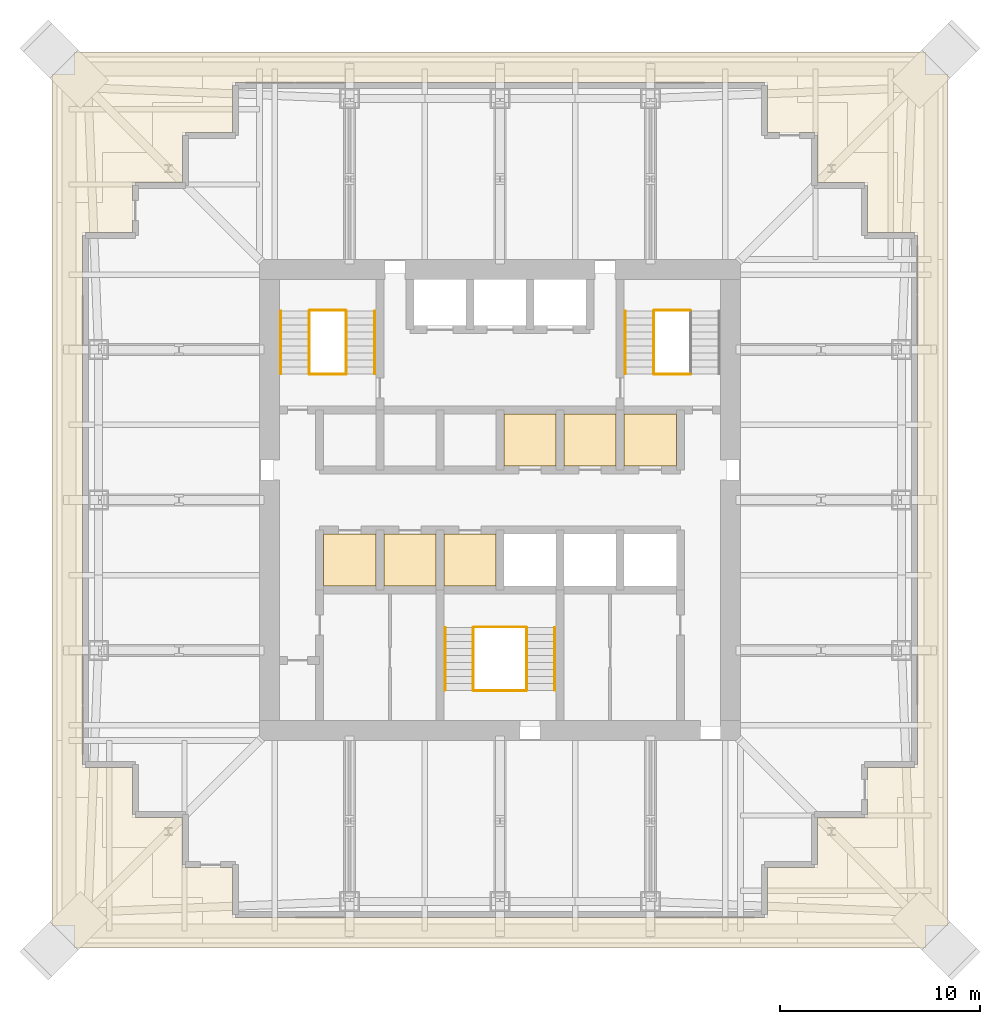
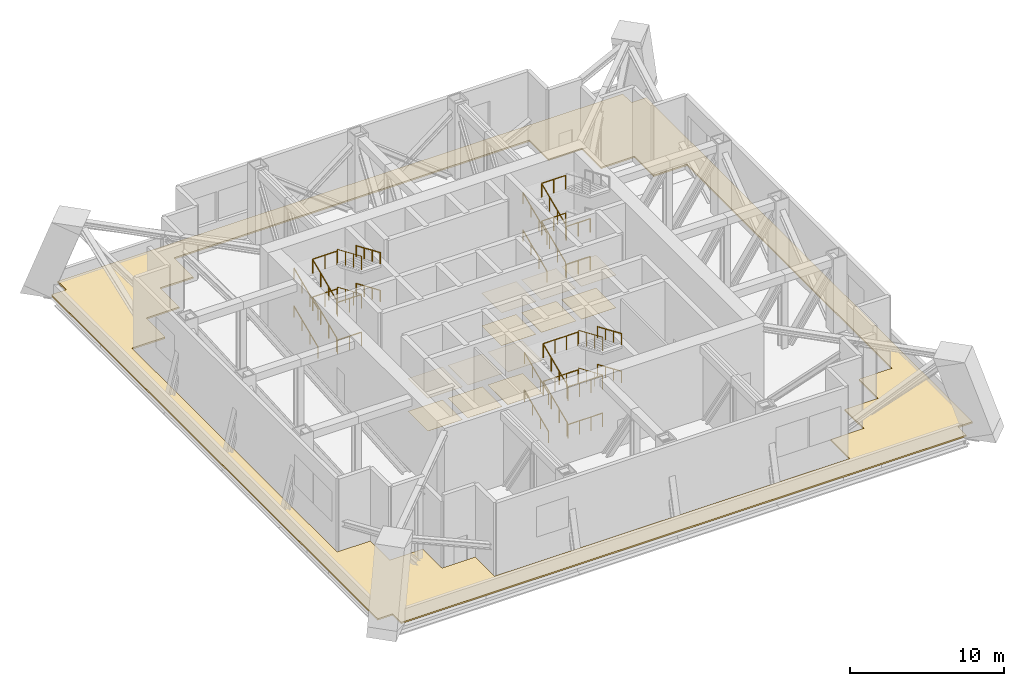
# One storey, part 8 of 9: 32 railings, 13 coverings.
"""IFC4 building model written with IfcOpenShell, lengths in metres."""

from ifc_helpers import new_model, si_unit, direction, frame, origin, origin_2d, place, context, subcontext, project, spatial, polyline, circle, outline, extrude, material, layer, layer_set, type_object, element, save


model = new_model("IFC4")

# Units and contexts
model_context = context("Model", 3, precision=1e-05, world=origin(), true_north=direction((0.0, 1.0)))
body_context = subcontext(model_context, "Body", "Model", "MODEL_VIEW")
ifc_project = project(units=[si_unit("LENGTHUNIT", "METRE"), si_unit("AREAUNIT", "SQUARE_METRE"), si_unit("VOLUMEUNIT", "CUBIC_METRE"), si_unit("PLANEANGLEUNIT", "RADIAN"), si_unit("MASSUNIT", "GRAM", prefix="KILO")], contexts=[model_context])

# Site, building, storey
site_placement = place(None, origin())
site = spatial("IfcSite", under=ifc_project, at=site_placement, CompositionType="ELEMENT")
building_placement = place(site_placement, origin())
building = spatial("IfcBuilding", under=site, at=building_placement, Name="Tarangal Relay Tower", CompositionType="ELEMENT")
storey_placement = place(building_placement, frame((0.0, 0.0, 253.89990234375)))
storey = spatial("IfcBuildingStorey", under=building, at=storey_placement, Name="L55", CompositionType="ELEMENT", Elevation=253.89990234375)

# Coverings
ifc_material_1 = material(Name="Anti-static vinyl flooring", Category="plastic")
ifc_layer_1 = layer(ifc_material_1, 0.010009765625)
ifc_layer_set_1 = layer_set([ifc_layer_1], Name="Anti-static vinyl floor")
covering_type_1 = type_object("IfcCoveringType", Name="Anti-static vinyl floor", PredefinedType="FLOORING", material=ifc_layer_set_1)
covering_1_placement = place(storey_placement, origin())
element("IfcCovering", 1, at=covering_1_placement, inside=storey, type_object=covering_type_1, Name="Floor finish FL1 L55-T1", PredefinedType="FLOORING", context=body_context, shape_type="SweptSolid", body=[
    extrude(outline(polyline([(0.199951171875, 1.699951171875), (2.800048828125, 1.699951171875), (2.800048828125, 4.300048828125), (0.199951171875, 4.300048828125), (0.199951171875, 1.699951171875)])), origin(), (0.0, 0.0, 1.0), 0.010009765625),
])
covering_2_placement = place(storey_placement, origin())
element("IfcCovering", 2, at=covering_2_placement, inside=storey, type_object=covering_type_1, Name="Floor finish FL1 L55-T2", PredefinedType="FLOORING", context=body_context, shape_type="SweptSolid", body=[
    extrude(outline(polyline([(3.199951171875, 1.699951171875), (5.800048828125, 1.699951171875), (5.800048828125, 4.300048828125), (3.199951171875, 4.300048828125), (3.199951171875, 1.699951171875)])), origin(), (0.0, 0.0, 1.0), 0.010009765625),
])
covering_3_placement = place(storey_placement, origin())
element("IfcCovering", 3, at=covering_3_placement, inside=storey, type_object=covering_type_1, Name="Floor finish FL1 L55-T3", PredefinedType="FLOORING", context=body_context, shape_type="SweptSolid", body=[
    extrude(outline(polyline([(6.199951171875, 1.699951171875), (8.800048828125, 1.699951171875), (8.800048828125, 4.300048828125), (6.199951171875, 4.300048828125), (6.199951171875, 1.699951171875)])), origin(), (0.0, 0.0, 1.0), 0.010009765625),
])
covering_4_placement = place(storey_placement, origin())
element("IfcCovering", 4, at=covering_4_placement, inside=storey, type_object=covering_type_1, Name="Floor finish FL1 L55-S1", PredefinedType="FLOORING", context=body_context, shape_type="SweptSolid", body=[
    extrude(outline(polyline([(-8.800048828125, -4.300048828125), (-6.199951171875, -4.300048828125), (-6.199951171875, -1.699951171875), (-8.800048828125, -1.699951171875), (-8.800048828125, -4.300048828125)])), origin(), (0.0, 0.0, 1.0), 0.010009765625),
])
covering_5_placement = place(storey_placement, origin())
element("IfcCovering", 5, at=covering_5_placement, inside=storey, type_object=covering_type_1, Name="Floor finish FL1 L55-S2", PredefinedType="FLOORING", context=body_context, shape_type="SweptSolid", body=[
    extrude(outline(polyline([(-5.800048828125, -4.300048828125), (-3.199951171875, -4.300048828125), (-3.199951171875, -1.699951171875), (-5.800048828125, -1.699951171875), (-5.800048828125, -4.300048828125)])), origin(), (0.0, 0.0, 1.0), 0.010009765625),
])
covering_6_placement = place(storey_placement, origin())
element("IfcCovering", 6, at=covering_6_placement, inside=storey, type_object=covering_type_1, Name="Floor finish FL1 L55-S3", PredefinedType="FLOORING", context=body_context, shape_type="SweptSolid", body=[
    extrude(outline(polyline([(-2.800048828125, -4.300048828125), (-0.199951171875, -4.300048828125), (-0.199951171875, -1.699951171875), (-2.800048828125, -1.699951171875), (-2.800048828125, -4.300048828125)])), origin(), (0.0, 0.0, 1.0), 0.010009765625),
])
ifc_material_2 = material(Name="Bituminous membrane on rigid insulation", Category="plastic")
ifc_layer_2 = layer(ifc_material_2, 0.1201171875)
ifc_layer_set_2 = layer_set([ifc_layer_2], Name="Roof membrane and insulation")
covering_type_2 = type_object("IfcCoveringType", Name="Roof membrane and insulation", PredefinedType="ROOFING", material=ifc_layer_set_2)
covering_7_placement = place(storey_placement, origin())
element("IfcCovering", 7, at=covering_7_placement, inside=storey, type_object=covering_type_2, Name="Ledge roofing RF2 L55", PredefinedType="ROOFING", context=body_context, shape_type="SweptSolid", body=[
    extrude(outline(polyline([(22.35009765625, -21.239990234375), (22.35009765625, 21.239990234375), (21.239990234375, 21.239990234375), (21.239990234375, 22.35009765625), (-21.239990234375, 22.35009765625), (-21.239990234375, 21.239990234375), (-22.35009765625, 21.239990234375), (-22.35009765625, -21.239990234375), (-21.239990234375, -21.239990234375), (-21.239990234375, -22.35009765625), (21.239990234375, -22.35009765625), (21.239990234375, -21.239990234375), (22.35009765625, -21.239990234375)]), holes=[polyline([(-20.85009765625, 13.35009765625), (-20.85009765625, -13.35009765625), (-18.35009765625, -13.35009765625), (-18.35009765625, -15.85009765625), (-15.85009765625, -15.85009765625), (-15.85009765625, -18.35009765625), (-13.35009765625, -18.35009765625), (-13.35009765625, -20.85009765625), (13.35009765625, -20.85009765625), (13.35009765625, -18.35009765625), (15.85009765625, -18.35009765625), (15.85009765625, -15.85009765625), (18.35009765625, -15.85009765625), (18.35009765625, -13.35009765625), (20.85009765625, -13.35009765625), (20.85009765625, 13.35009765625), (18.35009765625, 13.35009765625), (18.35009765625, 15.85009765625), (15.85009765625, 15.85009765625), (15.85009765625, 18.35009765625), (13.35009765625, 18.35009765625), (13.35009765625, 20.85009765625), (-13.35009765625, 20.85009765625), (-13.35009765625, 18.35009765625), (-15.85009765625, 18.35009765625), (-15.85009765625, 15.85009765625), (-18.35009765625, 15.85009765625), (-18.35009765625, 13.35009765625), (-20.85009765625, 13.35009765625)])]), origin(), (0.0, 0.0, 1.0), 0.1201171875),
])

# Railings
ifc_material_3 = material(Name="Steel guard, black finish", Category="steel")
railing_type_1 = type_object("IfcRailingType", Name="Stair guard 1100", PredefinedType="GUARDRAIL", material=ifc_material_3)
railing_1_placement = place(storey_placement, frame((-9.530029296875, 6.300048828125, 0.150146484375)))
element("IfcRailing", 8, at=railing_1_placement, inside=storey, type_object=railing_type_1, Name="Stair ST-A guard GR1 L55 flight 1", PredefinedType="GUARDRAIL", context=body_context, shape_type="SweptSolid", body=[
    extrude(circle(Radius=0.02392578125, at=origin_2d()), frame((0.0, 0.0, 1.076171875), z_axis=(0.0, 0.918332162045, 0.395810611471), x_axis=(-1.0, 0.0, 0.0)), (0.0, 0.0, 1.0), 3.410400390625),
    extrude(circle(Radius=0.02099609375, at=origin_2d()), origin(), (0.0, 0.0, 1.0), 1.052001953125),
    extrude(circle(Radius=0.02099609375, at=origin_2d()), frame((0.0, 1.0439453125, 0.449951171875)), (0.0, 0.0, 1.0), 1.052001953125),
    extrude(circle(Radius=0.02099609375, at=origin_2d()), frame((0.0, 2.087890625, 0.89990234375)), (0.0, 0.0, 1.0), 1.052001953125),
    extrude(circle(Radius=0.02099609375, at=origin_2d()), frame((0.0, 3.1318359375, 1.349853515625)), (0.0, 0.0, 1.0), 1.052001953125),
])
railing_2_placement = place(storey_placement, frame((-7.669921875, 9.431884765625, 1.650146484375)))
element("IfcRailing", 9, at=railing_2_placement, inside=storey, type_object=railing_type_1, Name="Stair ST-A guard GR1 L55 flight 2", PredefinedType="GUARDRAIL", context=body_context, shape_type="SweptSolid", body=[
    extrude(circle(Radius=0.02392578125, at=origin_2d()), frame((0.0, 0.0, 1.076171875), z_axis=(0.0, -0.918332162045, 0.395810611471), x_axis=(1.0, 0.0, 0.0)), (0.0, 0.0, 1.0), 3.410400390625),
    extrude(circle(Radius=0.02099609375, at=origin_2d()), origin(), (0.0, 0.0, 1.0), 1.052001953125),
    extrude(circle(Radius=0.02099609375, at=origin_2d()), frame((0.0, -1.0439453125, 0.449951171875)), (0.0, 0.0, 1.0), 1.052001953125),
    extrude(circle(Radius=0.02099609375, at=origin_2d()), frame((0.0, -2.087890625, 0.89990234375)), (0.0, 0.0, 1.0), 1.052001953125),
    extrude(circle(Radius=0.02099609375, at=origin_2d()), frame((0.0, -3.1318359375, 1.349853515625)), (0.0, 0.0, 1.0), 1.052001953125),
])
railing_3_placement = place(storey_placement, frame((-9.530029296875, 6.300048828125, 3.150146484375)))
element("IfcRailing", 10, at=railing_3_placement, inside=storey, type_object=railing_type_1, Name="Stair ST-A guard GR1 L55 flight 3", PredefinedType="GUARDRAIL", context=body_context, shape_type="SweptSolid", body=[
    extrude(circle(Radius=0.02392578125, at=origin_2d()), frame((0.0, 0.0, 1.076171875), z_axis=(0.0, 0.918332162045, 0.395810611471), x_axis=(-1.0, 0.0, 0.0)), (0.0, 0.0, 1.0), 3.410400390625),
    extrude(circle(Radius=0.02099609375, at=origin_2d()), origin(), (0.0, 0.0, 1.0), 1.052001953125),
    extrude(circle(Radius=0.02099609375, at=origin_2d()), frame((0.0, 1.0439453125, 0.449951171875)), (0.0, 0.0, 1.0), 1.052001953125),
    extrude(circle(Radius=0.02099609375, at=origin_2d()), frame((0.0, 2.087890625, 0.89990234375)), (0.0, 0.0, 1.0), 1.052001953125),
    extrude(circle(Radius=0.02099609375, at=origin_2d()), frame((0.0, 3.1318359375, 1.349853515625)), (0.0, 0.0, 1.0), 1.052001953125),
])
railing_4_placement = place(storey_placement, frame((-7.669921875, 9.431884765625, 4.650146484375)))
element("IfcRailing", 11, at=railing_4_placement, inside=storey, type_object=railing_type_1, Name="Stair ST-A guard GR1 L55 flight 4", PredefinedType="GUARDRAIL", context=body_context, shape_type="SweptSolid", body=[
    extrude(circle(Radius=0.02392578125, at=origin_2d()), frame((0.0, 0.0, 1.076171875), z_axis=(0.0, -0.918332162045, 0.395810611471), x_axis=(1.0, 0.0, 0.0)), (0.0, 0.0, 1.0), 3.410400390625),
    extrude(circle(Radius=0.02099609375, at=origin_2d()), origin(), (0.0, 0.0, 1.0), 1.052001953125),
    extrude(circle(Radius=0.02099609375, at=origin_2d()), frame((0.0, -1.0439453125, 0.449951171875)), (0.0, 0.0, 1.0), 1.052001953125),
    extrude(circle(Radius=0.02099609375, at=origin_2d()), frame((0.0, -2.087890625, 0.89990234375)), (0.0, 0.0, 1.0), 1.052001953125),
    extrude(circle(Radius=0.02099609375, at=origin_2d()), frame((0.0, -3.1318359375, 1.349853515625)), (0.0, 0.0, 1.0), 1.052001953125),
])
for number, where, name in (
    (12, (-9.5, 6.27001953125, 0.0), "Stair ST-A landing guard GR1 L55"),
    (13, (-9.5, 9.4619140625, 1.5), "Stair ST-A landing guard GR1 L55"),
    (14, (-9.5, 6.27001953125, 3.0), "Stair ST-A landing guard GR1 L55"),
    (15, (-9.5, 9.4619140625, 4.5), "Stair ST-A landing guard GR1 L55"),
):
    element("IfcRailing", number, at=place(storey_placement, frame(where)), inside=storey, type_object=railing_type_1, Name=name, PredefinedType="GUARDRAIL", context=body_context, shape_type="SweptSolid", body=[
        extrude(circle(Radius=0.02392578125, at=origin_2d()), frame((0.0, 0.0, 1.076171875), z_axis=(1.0, 0.0, 0.0), x_axis=(0.0, 1.0, 0.0)), (0.0, 0.0, 1.0), 1.800048828125),
        extrude(circle(Radius=0.02099609375, at=origin_2d()), origin(), (0.0, 0.0, 1.0), 1.052001953125),
        extrude(circle(Radius=0.02099609375, at=origin_2d()), frame((0.89990234375, 0.0, 0.0)), (0.0, 0.0, 1.0), 1.052001953125),
        extrude(circle(Radius=0.02099609375, at=origin_2d()), frame((1.800048828125, 0.0, 0.0)), (0.0, 0.0, 1.0), 1.052001953125),
    ])
for number, where, name in (
    (16, (7.669921875, 6.300048828125, 0.150146484375), "Stair ST-B guard GR1 L55 flight 1"),
    (17, (7.669921875, 6.300048828125, 3.150146484375), "Stair ST-B guard GR1 L55 flight 3"),
):
    element("IfcRailing", number, at=place(storey_placement, frame(where)), inside=storey, type_object=railing_type_1, Name=name, PredefinedType="GUARDRAIL", context=body_context, shape_type="SweptSolid", body=[
        extrude(circle(Radius=0.02392578125, at=origin_2d()), frame((0.0, 0.0, 1.076171875), z_axis=(0.0, 0.918332162045, 0.395810611471), x_axis=(-1.0, 0.0, 0.0)), (0.0, 0.0, 1.0), 3.410400390625),
        extrude(circle(Radius=0.02099609375, at=origin_2d()), origin(), (0.0, 0.0, 1.0), 1.052001953125),
        extrude(circle(Radius=0.02099609375, at=origin_2d()), frame((0.0, 1.0439453125, 0.449951171875)), (0.0, 0.0, 1.0), 1.052001953125),
        extrude(circle(Radius=0.02099609375, at=origin_2d()), frame((0.0, 2.087890625, 0.89990234375)), (0.0, 0.0, 1.0), 1.052001953125),
        extrude(circle(Radius=0.02099609375, at=origin_2d()), frame((0.0, 3.1318359375, 1.349853515625)), (0.0, 0.0, 1.0), 1.052001953125),
    ])
for number, where, name in (
    (18, (7.699951171875, 6.27001953125, 0.0), "Stair ST-B landing guard GR1 L55"),
    (19, (7.699951171875, 9.4619140625, 1.5), "Stair ST-B landing guard GR1 L55"),
    (20, (7.699951171875, 6.27001953125, 3.0), "Stair ST-B landing guard GR1 L55"),
    (21, (7.699951171875, 9.4619140625, 4.5), "Stair ST-B landing guard GR1 L55"),
):
    element("IfcRailing", number, at=place(storey_placement, frame(where)), inside=storey, type_object=railing_type_1, Name=name, PredefinedType="GUARDRAIL", context=body_context, shape_type="SweptSolid", body=[
        extrude(circle(Radius=0.02392578125, at=origin_2d()), frame((0.0, 0.0, 1.076171875), z_axis=(1.0, 0.0, 0.0), x_axis=(0.0, 1.0, 0.0)), (0.0, 0.0, 1.0), 1.800048828125),
        extrude(circle(Radius=0.02099609375, at=origin_2d()), origin(), (0.0, 0.0, 1.0), 1.052001953125),
        extrude(circle(Radius=0.02099609375, at=origin_2d()), frame((0.89990234375, 0.0, 0.0)), (0.0, 0.0, 1.0), 1.052001953125),
        extrude(circle(Radius=0.02099609375, at=origin_2d()), frame((1.800048828125, 0.0, 0.0)), (0.0, 0.0, 1.0), 1.052001953125),
    ])
railing_5_placement = place(storey_placement, frame((-1.330078125, -9.5, 0.150146484375)))
element("IfcRailing", 22, at=railing_5_placement, inside=storey, type_object=railing_type_1, Name="Stair ST-C guard GR1 L55 flight 1", PredefinedType="GUARDRAIL", context=body_context, shape_type="SweptSolid", body=[
    extrude(circle(Radius=0.02392578125, at=origin_2d()), frame((0.0, 0.0, 1.076171875), z_axis=(0.0, 0.918343376364, 0.395784591778), x_axis=(-1.0, 0.0, 0.0)), (0.0, 0.0, 1.0), 3.41064453125),
    extrude(circle(Radius=0.02099609375, at=origin_2d()), origin(), (0.0, 0.0, 1.0), 1.052001953125),
    extrude(circle(Radius=0.02099609375, at=origin_2d()), frame((0.0, 1.0439453125, 0.449951171875)), (0.0, 0.0, 1.0), 1.052001953125),
    extrude(circle(Radius=0.02099609375, at=origin_2d()), frame((0.0, 2.088134765625, 0.89990234375)), (0.0, 0.0, 1.0), 1.052001953125),
    extrude(circle(Radius=0.02099609375, at=origin_2d()), frame((0.0, 3.132080078125, 1.349853515625)), (0.0, 0.0, 1.0), 1.052001953125),
])
railing_6_placement = place(storey_placement, frame((1.330078125, -6.367919921875, 1.650146484375)))
element("IfcRailing", 23, at=railing_6_placement, inside=storey, type_object=railing_type_1, Name="Stair ST-C guard GR1 L55 flight 2", PredefinedType="GUARDRAIL", context=body_context, shape_type="SweptSolid", body=[
    extrude(circle(Radius=0.02392578125, at=origin_2d()), frame((0.0, 0.0, 1.076171875), z_axis=(0.0, -0.918343376364, 0.395784591778), x_axis=(1.0, 0.0, 0.0)), (0.0, 0.0, 1.0), 3.41064453125),
    extrude(circle(Radius=0.02099609375, at=origin_2d()), origin(), (0.0, 0.0, 1.0), 1.052001953125),
    extrude(circle(Radius=0.02099609375, at=origin_2d()), frame((0.0, -1.0439453125, 0.449951171875)), (0.0, 0.0, 1.0), 1.052001953125),
    extrude(circle(Radius=0.02099609375, at=origin_2d()), frame((0.0, -2.088134765625, 0.89990234375)), (0.0, 0.0, 1.0), 1.052001953125),
    extrude(circle(Radius=0.02099609375, at=origin_2d()), frame((0.0, -3.132080078125, 1.349853515625)), (0.0, 0.0, 1.0), 1.052001953125),
])
railing_7_placement = place(storey_placement, frame((-1.330078125, -9.5, 3.150146484375)))
element("IfcRailing", 24, at=railing_7_placement, inside=storey, type_object=railing_type_1, Name="Stair ST-C guard GR1 L55 flight 3", PredefinedType="GUARDRAIL", context=body_context, shape_type="SweptSolid", body=[
    extrude(circle(Radius=0.02392578125, at=origin_2d()), frame((0.0, 0.0, 1.076171875), z_axis=(0.0, 0.918343376364, 0.395784591778), x_axis=(-1.0, 0.0, 0.0)), (0.0, 0.0, 1.0), 3.41064453125),
    extrude(circle(Radius=0.02099609375, at=origin_2d()), origin(), (0.0, 0.0, 1.0), 1.052001953125),
    extrude(circle(Radius=0.02099609375, at=origin_2d()), frame((0.0, 1.0439453125, 0.449951171875)), (0.0, 0.0, 1.0), 1.052001953125),
    extrude(circle(Radius=0.02099609375, at=origin_2d()), frame((0.0, 2.088134765625, 0.89990234375)), (0.0, 0.0, 1.0), 1.052001953125),
    extrude(circle(Radius=0.02099609375, at=origin_2d()), frame((0.0, 3.132080078125, 1.349853515625)), (0.0, 0.0, 1.0), 1.052001953125),
])
railing_8_placement = place(storey_placement, frame((1.330078125, -6.367919921875, 4.650146484375)))
element("IfcRailing", 25, at=railing_8_placement, inside=storey, type_object=railing_type_1, Name="Stair ST-C guard GR1 L55 flight 4", PredefinedType="GUARDRAIL", context=body_context, shape_type="SweptSolid", body=[
    extrude(circle(Radius=0.02392578125, at=origin_2d()), frame((0.0, 0.0, 1.076171875), z_axis=(0.0, -0.918343376364, 0.395784591778), x_axis=(1.0, 0.0, 0.0)), (0.0, 0.0, 1.0), 3.41064453125),
    extrude(circle(Radius=0.02099609375, at=origin_2d()), origin(), (0.0, 0.0, 1.0), 1.052001953125),
    extrude(circle(Radius=0.02099609375, at=origin_2d()), frame((0.0, -1.0439453125, 0.449951171875)), (0.0, 0.0, 1.0), 1.052001953125),
    extrude(circle(Radius=0.02099609375, at=origin_2d()), frame((0.0, -2.088134765625, 0.89990234375)), (0.0, 0.0, 1.0), 1.052001953125),
    extrude(circle(Radius=0.02099609375, at=origin_2d()), frame((0.0, -3.132080078125, 1.349853515625)), (0.0, 0.0, 1.0), 1.052001953125),
])
for number, where, name in (
    (26, (-1.300048828125, -9.530029296875, 0.0), "Stair ST-C landing guard GR1 L55"),
    (27, (-1.300048828125, -6.337890625, 1.5), "Stair ST-C landing guard GR1 L55"),
    (28, (-1.300048828125, -9.530029296875, 3.0), "Stair ST-C landing guard GR1 L55"),
    (29, (-1.300048828125, -6.337890625, 4.5), "Stair ST-C landing guard GR1 L55"),
):
    element("IfcRailing", number, at=place(storey_placement, frame(where)), inside=storey, type_object=railing_type_1, Name=name, PredefinedType="GUARDRAIL", context=body_context, shape_type="SweptSolid", body=[
        extrude(circle(Radius=0.02392578125, at=origin_2d()), frame((0.0, 0.0, 1.076171875), z_axis=(1.0, 0.0, 0.0), x_axis=(0.0, 1.0, 0.0)), (0.0, 0.0, 1.0), 2.60009765625),
        extrude(circle(Radius=0.02099609375, at=origin_2d()), origin(), (0.0, 0.0, 1.0), 1.052001953125),
        extrude(circle(Radius=0.02099609375, at=origin_2d()), frame((0.86669921875, 0.0, 0.0)), (0.0, 0.0, 1.0), 1.052001953125),
        extrude(circle(Radius=0.02099609375, at=origin_2d()), frame((1.7333984375, 0.0, 0.0)), (0.0, 0.0, 1.0), 1.052001953125),
        extrude(circle(Radius=0.02099609375, at=origin_2d()), frame((2.60009765625, 0.0, 0.0)), (0.0, 0.0, 1.0), 1.052001953125),
    ])
ifc_material_4 = material(Name="Steel handrail, black finish", Category="steel")
railing_type_2 = type_object("IfcRailingType", Name="Stair handrail 900", PredefinedType="HANDRAIL", material=ifc_material_4)
railing_9_placement = place(storey_placement, frame((-10.93994140625, 6.300048828125, 0.150146484375)))
element("IfcRailing", 30, at=railing_9_placement, inside=storey, type_object=railing_type_2, Name="Stair ST-A handrail HR1 L55 flight 1", PredefinedType="HANDRAIL", context=body_context, shape_type="SweptSolid", body=[
    extrude(circle(Radius=0.02392578125, at=origin_2d()), frame((0.0, 0.0, 0.8759765625), z_axis=(0.0, 0.918332162045, 0.395810611471), x_axis=(-1.0, 0.0, 0.0)), (0.0, 0.0, 1.0), 3.410400390625),
    extrude(circle(Radius=0.02099609375, at=origin_2d()), origin(), (0.0, 0.0, 1.0), 0.851806640625),
    extrude(circle(Radius=0.02099609375, at=origin_2d()), frame((0.0, 1.0439453125, 0.449951171875)), (0.0, 0.0, 1.0), 0.851806640625),
    extrude(circle(Radius=0.02099609375, at=origin_2d()), frame((0.0, 2.087890625, 0.89990234375)), (0.0, 0.0, 1.0), 0.851806640625),
    extrude(circle(Radius=0.02099609375, at=origin_2d()), frame((0.0, 3.1318359375, 1.349853515625)), (0.0, 0.0, 1.0), 0.851806640625),
])
railing_10_placement = place(storey_placement, frame((-6.260009765625, 9.431884765625, 1.650146484375)))
element("IfcRailing", 31, at=railing_10_placement, inside=storey, type_object=railing_type_2, Name="Stair ST-A handrail HR1 L55 flight 2", PredefinedType="HANDRAIL", context=body_context, shape_type="SweptSolid", body=[
    extrude(circle(Radius=0.02392578125, at=origin_2d()), frame((0.0, 0.0, 0.8759765625), z_axis=(0.0, -0.918332162045, 0.395810611471), x_axis=(1.0, 0.0, 0.0)), (0.0, 0.0, 1.0), 3.410400390625),
    extrude(circle(Radius=0.02099609375, at=origin_2d()), origin(), (0.0, 0.0, 1.0), 0.851806640625),
    extrude(circle(Radius=0.02099609375, at=origin_2d()), frame((0.0, -1.0439453125, 0.449951171875)), (0.0, 0.0, 1.0), 0.851806640625),
    extrude(circle(Radius=0.02099609375, at=origin_2d()), frame((0.0, -2.087890625, 0.89990234375)), (0.0, 0.0, 1.0), 0.851806640625),
    extrude(circle(Radius=0.02099609375, at=origin_2d()), frame((0.0, -3.1318359375, 1.349853515625)), (0.0, 0.0, 1.0), 0.851806640625),
])
railing_11_placement = place(storey_placement, frame((-10.93994140625, 6.300048828125, 3.150146484375)))
element("IfcRailing", 32, at=railing_11_placement, inside=storey, type_object=railing_type_2, Name="Stair ST-A handrail HR1 L55 flight 3", PredefinedType="HANDRAIL", context=body_context, shape_type="SweptSolid", body=[
    extrude(circle(Radius=0.02392578125, at=origin_2d()), frame((0.0, 0.0, 0.8759765625), z_axis=(0.0, 0.918332162045, 0.395810611471), x_axis=(-1.0, 0.0, 0.0)), (0.0, 0.0, 1.0), 3.410400390625),
    extrude(circle(Radius=0.02099609375, at=origin_2d()), origin(), (0.0, 0.0, 1.0), 0.851806640625),
    extrude(circle(Radius=0.02099609375, at=origin_2d()), frame((0.0, 1.0439453125, 0.449951171875)), (0.0, 0.0, 1.0), 0.851806640625),
    extrude(circle(Radius=0.02099609375, at=origin_2d()), frame((0.0, 2.087890625, 0.89990234375)), (0.0, 0.0, 1.0), 0.851806640625),
    extrude(circle(Radius=0.02099609375, at=origin_2d()), frame((0.0, 3.1318359375, 1.349853515625)), (0.0, 0.0, 1.0), 0.851806640625),
])
railing_12_placement = place(storey_placement, frame((-6.260009765625, 9.431884765625, 4.650146484375)))
element("IfcRailing", 33, at=railing_12_placement, inside=storey, type_object=railing_type_2, Name="Stair ST-A handrail HR1 L55 flight 4", PredefinedType="HANDRAIL", context=body_context, shape_type="SweptSolid", body=[
    extrude(circle(Radius=0.02392578125, at=origin_2d()), frame((0.0, 0.0, 0.8759765625), z_axis=(0.0, -0.918332162045, 0.395810611471), x_axis=(1.0, 0.0, 0.0)), (0.0, 0.0, 1.0), 3.410400390625),
    extrude(circle(Radius=0.02099609375, at=origin_2d()), origin(), (0.0, 0.0, 1.0), 0.851806640625),
    extrude(circle(Radius=0.02099609375, at=origin_2d()), frame((0.0, -1.0439453125, 0.449951171875)), (0.0, 0.0, 1.0), 0.851806640625),
    extrude(circle(Radius=0.02099609375, at=origin_2d()), frame((0.0, -2.087890625, 0.89990234375)), (0.0, 0.0, 1.0), 0.851806640625),
    extrude(circle(Radius=0.02099609375, at=origin_2d()), frame((0.0, -3.1318359375, 1.349853515625)), (0.0, 0.0, 1.0), 0.851806640625),
])
for number, where, name in (
    (34, (6.260009765625, 6.300048828125, 0.150146484375), "Stair ST-B handrail HR1 L55 flight 1"),
    (35, (6.260009765625, 6.300048828125, 3.150146484375), "Stair ST-B handrail HR1 L55 flight 3"),
):
    element("IfcRailing", number, at=place(storey_placement, frame(where)), inside=storey, type_object=railing_type_2, Name=name, PredefinedType="HANDRAIL", context=body_context, shape_type="SweptSolid", body=[
        extrude(circle(Radius=0.02392578125, at=origin_2d()), frame((0.0, 0.0, 0.8759765625), z_axis=(0.0, 0.918332162045, 0.395810611471), x_axis=(-1.0, 0.0, 0.0)), (0.0, 0.0, 1.0), 3.410400390625),
        extrude(circle(Radius=0.02099609375, at=origin_2d()), origin(), (0.0, 0.0, 1.0), 0.851806640625),
        extrude(circle(Radius=0.02099609375, at=origin_2d()), frame((0.0, 1.0439453125, 0.449951171875)), (0.0, 0.0, 1.0), 0.851806640625),
        extrude(circle(Radius=0.02099609375, at=origin_2d()), frame((0.0, 2.087890625, 0.89990234375)), (0.0, 0.0, 1.0), 0.851806640625),
        extrude(circle(Radius=0.02099609375, at=origin_2d()), frame((0.0, 3.1318359375, 1.349853515625)), (0.0, 0.0, 1.0), 0.851806640625),
    ])
railing_13_placement = place(storey_placement, frame((-2.739990234375, -9.5, 0.150146484375)))
element("IfcRailing", 36, at=railing_13_placement, inside=storey, type_object=railing_type_2, Name="Stair ST-C handrail HR1 L55 flight 1", PredefinedType="HANDRAIL", context=body_context, shape_type="SweptSolid", body=[
    extrude(circle(Radius=0.02392578125, at=origin_2d()), frame((0.0, 0.0, 0.8759765625), z_axis=(0.0, 0.918343376364, 0.395784591778), x_axis=(-1.0, 0.0, 0.0)), (0.0, 0.0, 1.0), 3.41064453125),
    extrude(circle(Radius=0.02099609375, at=origin_2d()), origin(), (0.0, 0.0, 1.0), 0.851806640625),
    extrude(circle(Radius=0.02099609375, at=origin_2d()), frame((0.0, 1.0439453125, 0.449951171875)), (0.0, 0.0, 1.0), 0.851806640625),
    extrude(circle(Radius=0.02099609375, at=origin_2d()), frame((0.0, 2.088134765625, 0.89990234375)), (0.0, 0.0, 1.0), 0.851806640625),
    extrude(circle(Radius=0.02099609375, at=origin_2d()), frame((0.0, 3.132080078125, 1.349853515625)), (0.0, 0.0, 1.0), 0.851806640625),
])
railing_14_placement = place(storey_placement, frame((2.739990234375, -6.367919921875, 1.650146484375)))
element("IfcRailing", 37, at=railing_14_placement, inside=storey, type_object=railing_type_2, Name="Stair ST-C handrail HR1 L55 flight 2", PredefinedType="HANDRAIL", context=body_context, shape_type="SweptSolid", body=[
    extrude(circle(Radius=0.02392578125, at=origin_2d()), frame((0.0, 0.0, 0.8759765625), z_axis=(0.0, -0.918343376364, 0.395784591778), x_axis=(1.0, 0.0, 0.0)), (0.0, 0.0, 1.0), 3.41064453125),
    extrude(circle(Radius=0.02099609375, at=origin_2d()), origin(), (0.0, 0.0, 1.0), 0.851806640625),
    extrude(circle(Radius=0.02099609375, at=origin_2d()), frame((0.0, -1.0439453125, 0.449951171875)), (0.0, 0.0, 1.0), 0.851806640625),
    extrude(circle(Radius=0.02099609375, at=origin_2d()), frame((0.0, -2.088134765625, 0.89990234375)), (0.0, 0.0, 1.0), 0.851806640625),
    extrude(circle(Radius=0.02099609375, at=origin_2d()), frame((0.0, -3.132080078125, 1.349853515625)), (0.0, 0.0, 1.0), 0.851806640625),
])
railing_15_placement = place(storey_placement, frame((-2.739990234375, -9.5, 3.150146484375)))
element("IfcRailing", 38, at=railing_15_placement, inside=storey, type_object=railing_type_2, Name="Stair ST-C handrail HR1 L55 flight 3", PredefinedType="HANDRAIL", context=body_context, shape_type="SweptSolid", body=[
    extrude(circle(Radius=0.02392578125, at=origin_2d()), frame((0.0, 0.0, 0.8759765625), z_axis=(0.0, 0.918343376364, 0.395784591778), x_axis=(-1.0, 0.0, 0.0)), (0.0, 0.0, 1.0), 3.41064453125),
    extrude(circle(Radius=0.02099609375, at=origin_2d()), origin(), (0.0, 0.0, 1.0), 0.851806640625),
    extrude(circle(Radius=0.02099609375, at=origin_2d()), frame((0.0, 1.0439453125, 0.449951171875)), (0.0, 0.0, 1.0), 0.851806640625),
    extrude(circle(Radius=0.02099609375, at=origin_2d()), frame((0.0, 2.088134765625, 0.89990234375)), (0.0, 0.0, 1.0), 0.851806640625),
    extrude(circle(Radius=0.02099609375, at=origin_2d()), frame((0.0, 3.132080078125, 1.349853515625)), (0.0, 0.0, 1.0), 0.851806640625),
])
railing_16_placement = place(storey_placement, frame((2.739990234375, -6.367919921875, 4.650146484375)))
element("IfcRailing", 39, at=railing_16_placement, inside=storey, type_object=railing_type_2, Name="Stair ST-C handrail HR1 L55 flight 4", PredefinedType="HANDRAIL", context=body_context, shape_type="SweptSolid", body=[
    extrude(circle(Radius=0.02392578125, at=origin_2d()), frame((0.0, 0.0, 0.8759765625), z_axis=(0.0, -0.918343376364, 0.395784591778), x_axis=(1.0, 0.0, 0.0)), (0.0, 0.0, 1.0), 3.41064453125),
    extrude(circle(Radius=0.02099609375, at=origin_2d()), origin(), (0.0, 0.0, 1.0), 0.851806640625),
    extrude(circle(Radius=0.02099609375, at=origin_2d()), frame((0.0, -1.0439453125, 0.449951171875)), (0.0, 0.0, 1.0), 0.851806640625),
    extrude(circle(Radius=0.02099609375, at=origin_2d()), frame((0.0, -2.088134765625, 0.89990234375)), (0.0, 0.0, 1.0), 0.851806640625),
    extrude(circle(Radius=0.02099609375, at=origin_2d()), frame((0.0, -3.132080078125, 1.349853515625)), (0.0, 0.0, 1.0), 0.851806640625),
])

# Coverings
ifc_material_5 = material(Name="Mineral fibre ceiling tiles", Category="gypsum")
ifc_layer_3 = layer(ifc_material_5, 0.02001953125)
ifc_layer_set_3 = layer_set([ifc_layer_3], Name="Suspended ceiling")
covering_type_3 = type_object("IfcCoveringType", Name="Suspended ceiling", PredefinedType="CEILING", material=ifc_layer_set_3)
covering_8_placement = place(storey_placement, frame((0.0, 0.0, 2.60009765625)))
element("IfcCovering", 40, at=covering_8_placement, inside=storey, type_object=covering_type_3, Name="Suspended ceiling CL1 L55-T1", PredefinedType="CEILING", context=body_context, shape_type="SweptSolid", body=[
    extrude(outline(polyline([(0.199951171875, 1.699951171875), (2.800048828125, 1.699951171875), (2.800048828125, 4.300048828125), (0.199951171875, 4.300048828125), (0.199951171875, 1.699951171875)])), origin(), (0.0, 0.0, 1.0), 0.02001953125),
])
covering_9_placement = place(storey_placement, frame((0.0, 0.0, 2.60009765625)))
element("IfcCovering", 41, at=covering_9_placement, inside=storey, type_object=covering_type_3, Name="Suspended ceiling CL1 L55-T2", PredefinedType="CEILING", context=body_context, shape_type="SweptSolid", body=[
    extrude(outline(polyline([(3.199951171875, 1.699951171875), (5.800048828125, 1.699951171875), (5.800048828125, 4.300048828125), (3.199951171875, 4.300048828125), (3.199951171875, 1.699951171875)])), origin(), (0.0, 0.0, 1.0), 0.02001953125),
])
covering_10_placement = place(storey_placement, frame((0.0, 0.0, 2.60009765625)))
element("IfcCovering", 42, at=covering_10_placement, inside=storey, type_object=covering_type_3, Name="Suspended ceiling CL1 L55-T3", PredefinedType="CEILING", context=body_context, shape_type="SweptSolid", body=[
    extrude(outline(polyline([(6.199951171875, 1.699951171875), (8.800048828125, 1.699951171875), (8.800048828125, 4.300048828125), (6.199951171875, 4.300048828125), (6.199951171875, 1.699951171875)])), origin(), (0.0, 0.0, 1.0), 0.02001953125),
])
covering_11_placement = place(storey_placement, frame((0.0, 0.0, 2.60009765625)))
element("IfcCovering", 43, at=covering_11_placement, inside=storey, type_object=covering_type_3, Name="Suspended ceiling CL1 L55-S1", PredefinedType="CEILING", context=body_context, shape_type="SweptSolid", body=[
    extrude(outline(polyline([(-8.800048828125, -4.300048828125), (-6.199951171875, -4.300048828125), (-6.199951171875, -1.699951171875), (-8.800048828125, -1.699951171875), (-8.800048828125, -4.300048828125)])), origin(), (0.0, 0.0, 1.0), 0.02001953125),
])
covering_12_placement = place(storey_placement, frame((0.0, 0.0, 2.60009765625)))
element("IfcCovering", 44, at=covering_12_placement, inside=storey, type_object=covering_type_3, Name="Suspended ceiling CL1 L55-S2", PredefinedType="CEILING", context=body_context, shape_type="SweptSolid", body=[
    extrude(outline(polyline([(-5.800048828125, -4.300048828125), (-3.199951171875, -4.300048828125), (-3.199951171875, -1.699951171875), (-5.800048828125, -1.699951171875), (-5.800048828125, -4.300048828125)])), origin(), (0.0, 0.0, 1.0), 0.02001953125),
])
covering_13_placement = place(storey_placement, frame((0.0, 0.0, 2.60009765625)))
element("IfcCovering", 45, at=covering_13_placement, inside=storey, type_object=covering_type_3, Name="Suspended ceiling CL1 L55-S3", PredefinedType="CEILING", context=body_context, shape_type="SweptSolid", body=[
    extrude(outline(polyline([(-2.800048828125, -4.300048828125), (-0.199951171875, -4.300048828125), (-0.199951171875, -1.699951171875), (-2.800048828125, -1.699951171875), (-2.800048828125, -4.300048828125)])), origin(), (0.0, 0.0, 1.0), 0.02001953125),
])

save(model, "model.ifc")
